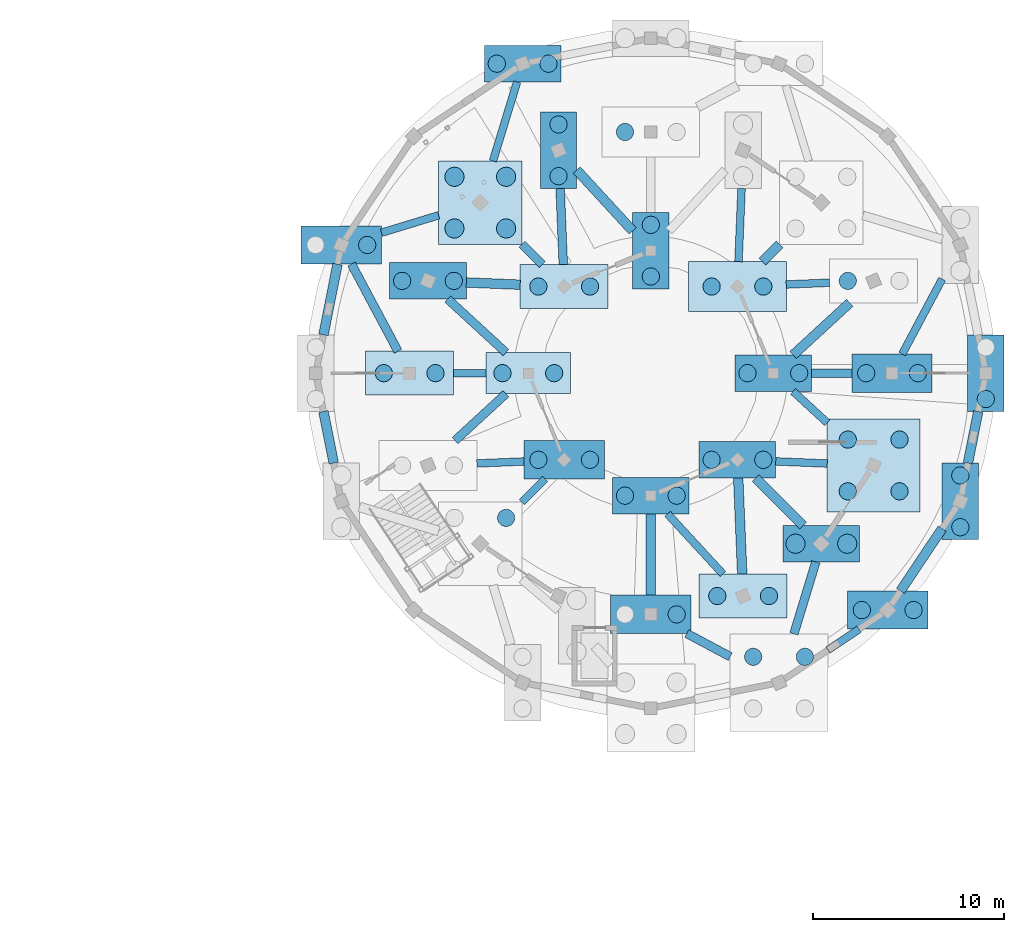
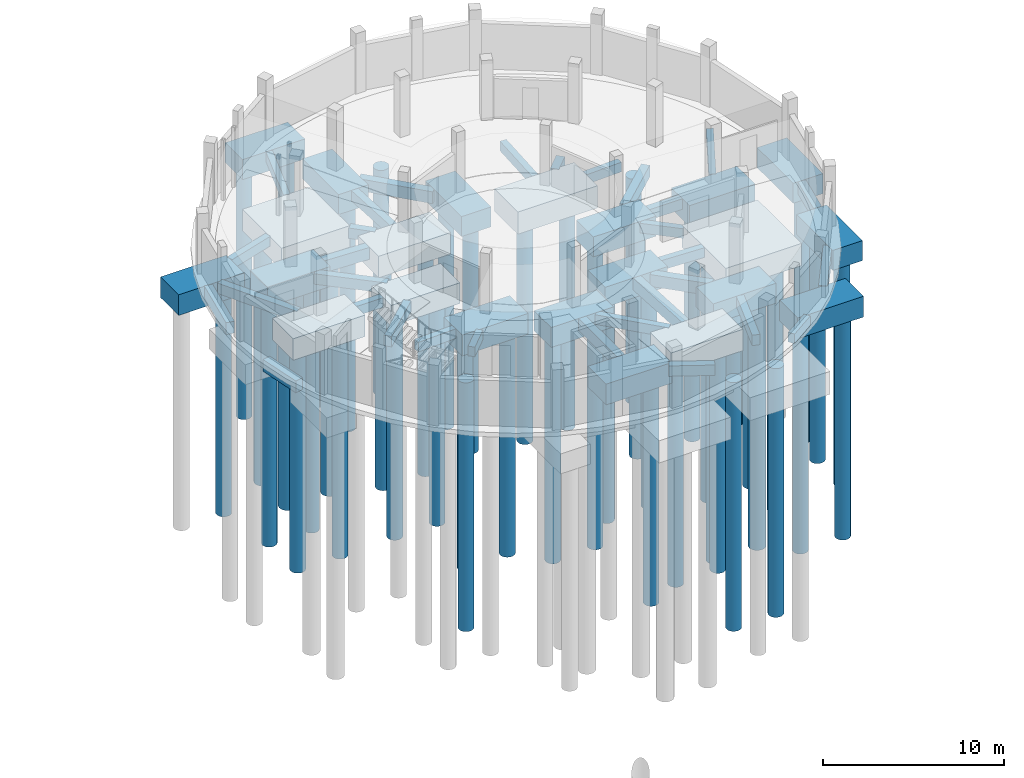
# One storey, part 7 of 58: 53 footings, 50 piles.
"""IFC4 building model written with IfcOpenShell, lengths in metres."""

from ifc_helpers import new_model, si_unit, direction, frame, origin, origin_2d, place, context, subcontext, project, spatial, rectangle, circle, extrude, material, material_profile, profile_set, type_object, element, save


model = new_model("IFC4")

# Units and contexts
model_context = context("Model", 3, precision=1e-05, world=origin(), true_north=direction((0.0, 1.0)))
body_context = subcontext(model_context, "Body", "Model", "MODEL_VIEW")
ifc_project = project(units=[si_unit("LENGTHUNIT", "METRE"), si_unit("AREAUNIT", "SQUARE_METRE"), si_unit("VOLUMEUNIT", "CUBIC_METRE"), si_unit("PLANEANGLEUNIT", "RADIAN"), si_unit("MASSUNIT", "GRAM", prefix="KILO")], contexts=[model_context])

# Site, building, storey
site_placement = place(None, origin())
site = spatial("IfcSite", under=ifc_project, at=site_placement, CompositionType="ELEMENT")
building_placement = place(site_placement, origin())
building = spatial("IfcBuilding", under=site, at=building_placement, Name="Caldaven Crescent School", CompositionType="ELEMENT")
storey_placement = place(building_placement, frame((0.0, 0.0, -4.080078125)))
storey = spatial("IfcBuildingStorey", under=building, at=storey_placement, Name="B1", CompositionType="ELEMENT", Elevation=-4.080078125)

# Footings
ifc_material_1 = material(Name="Concrete C30/37", Category="concrete")
ifc_material_profile_1 = material_profile(ifc_material_1, rectangle(XDim=0.449951171875, YDim=0.699951171875, at=origin_2d()), Name="FB 450x700")
ifc_profile_set_1 = profile_set([ifc_material_profile_1], Name="Concrete C30/37")
footing_type_1 = type_object("IfcFootingType", Name="FTG-FB1", PredefinedType="FOOTING_BEAM", material=ifc_profile_set_1)
footing_1_placement = place(storey_placement, frame((160.89990234375, 98.5, -0.64990234375), z_axis=(1.0, 0.0, 0.0), x_axis=(0.0, 1.0, 0.0)))
element("IfcFooting", 1, at=footing_1_placement, inside=storey, type_object=footing_type_1, Name="FB-001", PredefinedType="FOOTING_BEAM", context=body_context, shape_type="SweptSolid", body=[
    extrude(rectangle(XDim=0.449951171875, YDim=0.699951171875, at=origin_2d()), origin(), (0.0, 0.0, 1.0), 2.10009765625),
])
footing_2_placement = place(storey_placement, frame((147.761474609375, 108.140869140625, -0.64990234375), z_axis=(0.041584487991, -0.999134991059, 0.0), x_axis=(0.999134991059, 0.041584487991, 0.0)))
element("IfcFooting", 2, at=footing_2_placement, inside=storey, type_object=footing_type_1, Name="FB-016", PredefinedType="FOOTING_BEAM", context=body_context, shape_type="SweptSolid", body=[
    extrude(rectangle(XDim=0.449951171875, YDim=0.699951171875, at=origin_2d()), origin(), (0.0, 0.0, 1.0), 3.96875),
])
footing_3_placement = place(storey_placement, frame((146.824462890625, 104.175537109375, -0.64990234375), z_axis=(-0.707106781187, 0.707106781187, 0.0), x_axis=(-0.707106781187, -0.707106781187, 0.0)))
element("IfcFooting", 3, at=footing_3_placement, inside=storey, type_object=footing_type_1, Name="FB-019", PredefinedType="FOOTING_BEAM", context=body_context, shape_type="SweptSolid", body=[
    extrude(rectangle(XDim=0.449951171875, YDim=0.699951171875, at=origin_2d()), origin(), (0.0, 0.0, 1.0), 1.497802734375),
])
footing_4_placement = place(storey_placement, frame((141.8916015625, 102.371826171875, -0.64990234375), z_axis=(0.735926300048, -0.677061652213, 0.0), x_axis=(0.677061652213, 0.735926300048, 0.0)))
element("IfcFooting", 4, at=footing_4_placement, inside=storey, type_object=footing_type_1, Name="FB-022", PredefinedType="FOOTING_BEAM", context=body_context, shape_type="SweptSolid", body=[
    extrude(rectangle(XDim=0.449951171875, YDim=0.699951171875, at=origin_2d()), origin(), (0.0, 0.0, 1.0), 4.130859375),
])
footing_5_placement = place(storey_placement, frame((139.287353515625, 99.64990234375, -0.64990234375), z_axis=(-0.470170065205, 0.88257583798, 0.0), x_axis=(-0.88257583798, -0.470170065205, 0.0)))
element("IfcFooting", 5, at=footing_5_placement, inside=storey, type_object=footing_type_1, Name="FB-025", PredefinedType="FOOTING_BEAM", context=body_context, shape_type="SweptSolid", body=[
    extrude(rectangle(XDim=0.449951171875, YDim=0.699951171875, at=origin_2d()), origin(), (0.0, 0.0, 1.0), 5.152099609375),
])
footing_6_placement = place(storey_placement, frame((142.272216796875, 94.978271484375, -0.64990234375), z_axis=(0.735916200204, 0.677072629987, 0.0), x_axis=(-0.677072629987, 0.735916200204, 0.0)))
element("IfcFooting", 6, at=footing_6_placement, inside=storey, type_object=footing_type_1, Name="FB-028", PredefinedType="FOOTING_BEAM", context=body_context, shape_type="SweptSolid", body=[
    extrude(rectangle(XDim=0.449951171875, YDim=0.699951171875, at=origin_2d()), origin(), (0.0, 0.0, 1.0), 3.61376953125),
])
footing_7_placement = place(storey_placement, frame((154.376953125, 84.89990234375, -0.64990234375), z_axis=(0.882586689015, -0.470149695708, 0.0), x_axis=(0.470149695708, 0.882586689015, 0.0)))
element("IfcFooting", 7, at=footing_7_placement, inside=storey, type_object=footing_type_1, Name="FB-037", PredefinedType="FOOTING_BEAM", context=body_context, shape_type="SweptSolid", body=[
    extrude(rectangle(XDim=0.449951171875, YDim=0.699951171875, at=origin_2d()), origin(), (0.0, 0.0, 1.0), 2.572021484375),
])
footing_8_placement = place(storey_placement, frame((161.119873046875, 88.640380859375, -0.64990234375), z_axis=(-0.291552266399, -0.956554899605, 0.0), x_axis=(0.956554899605, -0.291552266399, 0.0)))
element("IfcFooting", 8, at=footing_8_placement, inside=storey, type_object=footing_type_1, Name="FB-043", PredefinedType="FOOTING_BEAM", context=body_context, shape_type="SweptSolid", body=[
    extrude(rectangle(XDim=0.449951171875, YDim=0.699951171875, at=origin_2d()), origin(), (0.0, 0.0, 1.0), 3.928955078125),
])
ifc_material_profile_2 = material_profile(ifc_material_1, rectangle(XDim=0.5, YDim=0.800048828125, at=origin_2d()), Name="FB 500x800")
ifc_profile_set_2 = profile_set([ifc_material_profile_2], Name="Concrete C30/37")
footing_type_2 = type_object("IfcFootingType", Name="FTG-FB2", PredefinedType="FOOTING_BEAM", material=ifc_profile_set_2)
footing_9_placement = place(storey_placement, frame((159.9326171875, 99.449951171875, -0.699951171875), z_axis=(0.735889855777, 0.677101262859, 0.0), x_axis=(-0.677101262859, 0.735889855777, 0.0)))
element("IfcFooting", 9, at=footing_9_placement, inside=storey, type_object=footing_type_2, Name="FB-002", PredefinedType="FOOTING_BEAM", context=body_context, shape_type="SweptSolid", body=[
    extrude(rectangle(XDim=0.5, YDim=0.800048828125, at=origin_2d()), origin(), (0.0, 0.0, 1.0), 4.02001953125),
])
footing_10_placement = place(storey_placement, frame((169.602294921875, 96.5, -0.699951171875), z_axis=(-0.19514285117, -0.980774830243, 0.0), x_axis=(0.980774830243, -0.19514285117, 0.0)))
element("IfcFooting", 10, at=footing_10_placement, inside=storey, type_object=footing_type_2, Name="FB-005", PredefinedType="FOOTING_BEAM", context=body_context, shape_type="SweptSolid", body=[
    extrude(rectangle(XDim=0.5, YDim=0.800048828125, at=origin_2d()), origin(), (0.0, 0.0, 1.0), 2.75),
])
footing_11_placement = place(storey_placement, frame((158.325439453125, 104.325439453125, -0.699951171875), z_axis=(0.707106781187, 0.707106781187, 0.0), x_axis=(-0.707106781187, 0.707106781187, 0.0)))
element("IfcFooting", 11, at=footing_11_placement, inside=storey, type_object=footing_type_2, Name="FB-008", PredefinedType="FOOTING_BEAM", context=body_context, shape_type="SweptSolid", body=[
    extrude(rectangle(XDim=0.5, YDim=0.800048828125, at=origin_2d()), origin(), (0.0, 0.0, 1.0), 1.285888671875),
])
footing_12_placement = place(storey_placement, frame((148.628173828125, 109.1083984375, -0.699951171875), z_axis=(0.677076140243, -0.735912970611, 0.0), x_axis=(0.735912970611, 0.677076140243, 0.0)))
element("IfcFooting", 12, at=footing_12_placement, inside=storey, type_object=footing_type_2, Name="FB-017", PredefinedType="FOOTING_BEAM", context=body_context, shape_type="SweptSolid", body=[
    extrude(rectangle(XDim=0.5, YDim=0.800048828125, at=origin_2d()), origin(), (0.0, 0.0, 1.0), 4.3154296875),
])
footing_13_placement = place(storey_placement, frame((145.674560546875, 103.121337890625, -0.699951171875), z_axis=(-0.999134874033, 0.041587299648, 0.0), x_axis=(-0.041587299648, -0.999134874033, 0.0)))
element("IfcFooting", 13, at=footing_13_placement, inside=storey, type_object=footing_type_2, Name="FB-020", PredefinedType="FOOTING_BEAM", context=body_context, shape_type="SweptSolid", body=[
    extrude(rectangle(XDim=0.5, YDim=0.800048828125, at=origin_2d()), origin(), (0.0, 0.0, 1.0), 2.81787109375),
])
footing_14_placement = place(storey_placement, frame((136.13330078125, 104.197021484375, -0.699951171875), z_axis=(-0.195144526143, -0.980774496975, 0.0), x_axis=(0.980774496975, -0.195144526143, 0.0)))
element("IfcFooting", 14, at=footing_14_placement, inside=storey, type_object=footing_type_2, Name="FB-023", PredefinedType="FOOTING_BEAM", context=body_context, shape_type="SweptSolid", body=[
    extrude(rectangle(XDim=0.5, YDim=0.800048828125, at=origin_2d()), origin(), (0.0, 0.0, 1.0), 3.76953125),
])
footing_15_placement = place(storey_placement, frame((135.397705078125, 96.5, -0.699951171875), z_axis=(0.19514285117, -0.980774830243, 0.0), x_axis=(0.980774830243, 0.19514285117, 0.0)))
element("IfcFooting", 15, at=footing_15_placement, inside=storey, type_object=footing_type_2, Name="FB-026", PredefinedType="FOOTING_BEAM", context=body_context, shape_type="SweptSolid", body=[
    extrude(rectangle(XDim=0.5, YDim=0.800048828125, at=origin_2d()), origin(), (0.0, 0.0, 1.0), 2.75),
])
footing_16_placement = place(storey_placement, frame((152.5, 91.14990234375, -0.699951171875), z_axis=(0.0, -1.0, 0.0), x_axis=(1.0, 0.0, 0.0)))
element("IfcFooting", 16, at=footing_16_placement, inside=storey, type_object=footing_type_2, Name="FB-035", PredefinedType="FOOTING_BEAM", context=body_context, shape_type="SweptSolid", body=[
    extrude(rectangle(XDim=0.5, YDim=0.800048828125, at=origin_2d()), origin(), (0.0, 0.0, 1.0), 4.25),
])
footing_17_placement = place(storey_placement, frame((157.27392578125, 88.009033203125, -0.699951171875), z_axis=(-0.041584015682, 0.999135010717, 0.0), x_axis=(-0.999135010717, -0.041584015682, 0.0)))
element("IfcFooting", 17, at=footing_17_placement, inside=storey, type_object=footing_type_2, Name="FB-038", PredefinedType="FOOTING_BEAM", context=body_context, shape_type="SweptSolid", body=[
    extrude(rectangle(XDim=0.5, YDim=0.800048828125, at=origin_2d()), origin(), (0.0, 0.0, 1.0), 5.019775390625),
])
footing_18_placement = place(storey_placement, frame((157.9755859375, 93.0244140625, -0.699951171875), z_axis=(0.707106781187, -0.707106781187, 0.0), x_axis=(0.707106781187, 0.707106781187, 0.0)))
element("IfcFooting", 18, at=footing_18_placement, inside=storey, type_object=footing_type_2, Name="FB-041", PredefinedType="FOOTING_BEAM", context=body_context, shape_type="SweptSolid", body=[
    extrude(rectangle(XDim=0.5, YDim=0.800048828125, at=origin_2d()), origin(), (0.0, 0.0, 1.0), 3.5126953125),
])
footing_19_placement = place(storey_placement, frame((165.54248046875, 87.12548828125, -0.699951171875), z_axis=(0.555606349083, 0.831445479186, 0.0), x_axis=(-0.831445479186, 0.555606349083, 0.0)))
element("IfcFooting", 19, at=footing_19_placement, inside=storey, type_object=footing_type_2, Name="FB-044", PredefinedType="FOOTING_BEAM", context=body_context, shape_type="SweptSolid", body=[
    extrude(rectangle(XDim=0.5, YDim=0.800048828125, at=origin_2d()), origin(), (0.0, 0.0, 1.0), 3.91552734375),
])
ifc_material_profile_3 = material_profile(ifc_material_1, rectangle(XDim=0.39990234375, YDim=0.64990234375, at=origin_2d()), Name="FB 400x650")
ifc_profile_set_3 = profile_set([ifc_material_profile_3], Name="Concrete C30/37")
footing_type_3 = type_object("IfcFootingType", Name="FTG-FB3", PredefinedType="FOOTING_BEAM", material=ifc_profile_set_3)
footing_20_placement = place(storey_placement, frame((165.6328125, 99.5, -0.625), z_axis=(0.47020815411, 0.882555546019, 0.0), x_axis=(-0.882555546019, 0.47020815411, 0.0)))
element("IfcFooting", 20, at=footing_20_placement, inside=storey, type_object=footing_type_3, Name="FB-003", PredefinedType="FOOTING_BEAM", context=body_context, shape_type="SweptSolid", body=[
    extrude(rectangle(XDim=0.39990234375, YDim=0.64990234375, at=origin_2d()), origin(), (0.0, 0.0, 1.0), 4.4345703125),
])
footing_21_placement = place(storey_placement, frame((161.8408203125, 103.22607421875, -0.625), z_axis=(-0.999131392748, -0.041670853432, 0.0), x_axis=(0.041670853432, -0.999131392748, 0.0)))
element("IfcFooting", 21, at=footing_21_placement, inside=storey, type_object=footing_type_3, Name="FB-006", PredefinedType="FOOTING_BEAM", context=body_context, shape_type="SweptSolid", body=[
    extrude(rectangle(XDim=0.39990234375, YDim=0.64990234375, at=origin_2d()), origin(), (0.0, 0.0, 1.0), 2.267333984375),
])
footing_22_placement = place(storey_placement, frame((157.238525390625, 108.140869140625, -0.625), z_axis=(-0.041619907798, -0.99913351624, 0.0), x_axis=(0.99913351624, -0.041619907798, 0.0)))
element("IfcFooting", 22, at=footing_22_placement, inside=storey, type_object=footing_type_3, Name="FB-009", PredefinedType="FOOTING_BEAM", context=body_context, shape_type="SweptSolid", body=[
    extrude(rectangle(XDim=0.39990234375, YDim=0.64990234375, at=origin_2d()), origin(), (0.0, 0.0, 1.0), 3.81884765625),
])
footing_23_placement = place(storey_placement, frame((145.513427734375, 113.718017578125, -0.625), z_axis=(-0.291579742138, -0.956546524731, 0.0), x_axis=(0.956546524731, -0.291579742138, 0.0)))
element("IfcFooting", 23, at=footing_23_placement, inside=storey, type_object=footing_type_3, Name="FB-018", PredefinedType="FOOTING_BEAM", context=body_context, shape_type="SweptSolid", body=[
    extrude(rectangle(XDim=0.39990234375, YDim=0.64990234375, at=origin_2d()), origin(), (0.0, 0.0, 1.0), 4.3212890625),
])
footing_24_placement = place(storey_placement, frame((141.41552734375, 106.74658203125, -0.625), z_axis=(-0.956545809065, -0.291582089916, 0.0), x_axis=(0.291582089916, -0.956545809065, 0.0)))
element("IfcFooting", 24, at=footing_24_placement, inside=storey, type_object=footing_type_3, Name="FB-021", PredefinedType="FOOTING_BEAM", context=body_context, shape_type="SweptSolid", body=[
    extrude(rectangle(XDim=0.39990234375, YDim=0.64990234375, at=origin_2d()), origin(), (0.0, 0.0, 1.0), 3.118896484375),
])
footing_25_placement = place(storey_placement, frame((143.89990234375, 98.5, -0.625), z_axis=(-1.0, 0.0, 0.0), x_axis=(0.0, -1.0, 0.0)))
element("IfcFooting", 25, at=footing_25_placement, inside=storey, type_object=footing_type_3, Name="FB-024", PredefinedType="FOOTING_BEAM", context=body_context, shape_type="SweptSolid", body=[
    extrude(rectangle(XDim=0.39990234375, YDim=0.64990234375, at=origin_2d()), origin(), (0.0, 0.0, 1.0), 1.699951171875),
])
footing_26_placement = place(storey_placement, frame((143.4091796875, 93.784423828125, -0.625), z_axis=(0.999132043911, 0.041655237719, 0.0), x_axis=(-0.041655237719, 0.999132043911, 0.0)))
element("IfcFooting", 26, at=footing_26_placement, inside=storey, type_object=footing_type_3, Name="FB-027", PredefinedType="FOOTING_BEAM", context=body_context, shape_type="SweptSolid", body=[
    extrude(rectangle(XDim=0.39990234375, YDim=0.64990234375, at=origin_2d()), origin(), (0.0, 0.0, 1.0), 2.467529296875),
])
footing_27_placement = place(storey_placement, frame((146.974609375, 92.974609375, -0.625), z_axis=(-0.707106781187, -0.707106781187, 0.0), x_axis=(0.707106781187, -0.707106781187, 0.0)))
element("IfcFooting", 27, at=footing_27_placement, inside=storey, type_object=footing_type_3, Name="FB-030", PredefinedType="FOOTING_BEAM", context=body_context, shape_type="SweptSolid", body=[
    extrude(rectangle(XDim=0.39990234375, YDim=0.64990234375, at=origin_2d()), origin(), (0.0, 0.0, 1.0), 1.710205078125),
])
footing_28_placement = place(storey_placement, frame((153.3740234375, 91.14990234375, -0.625), z_axis=(0.677093705951, -0.735896808909, 0.0), x_axis=(0.735896808909, 0.677093705951, 0.0)))
element("IfcFooting", 28, at=footing_28_placement, inside=storey, type_object=footing_type_3, Name="FB-036", PredefinedType="FOOTING_BEAM", context=body_context, shape_type="SweptSolid", body=[
    extrude(rectangle(XDim=0.39990234375, YDim=0.64990234375, at=origin_2d()), origin(), (0.0, 0.0, 1.0), 4.26806640625),
])
footing_29_placement = place(storey_placement, frame((161.7470703125, 84.035888671875, -0.625), z_axis=(0.831456105198, 0.555590447298, 0.0), x_axis=(-0.555590447298, 0.831456105198, 0.0)))
element("IfcFooting", 29, at=footing_29_placement, inside=storey, type_object=footing_type_3, Name="FB-039", PredefinedType="FOOTING_BEAM", context=body_context, shape_type="SweptSolid", body=[
    extrude(rectangle(XDim=0.39990234375, YDim=0.64990234375, at=origin_2d()), origin(), (0.0, 0.0, 1.0), 1.961181640625),
])
footing_30_placement = place(storey_placement, frame((159.025390625, 93.89111328125, -0.625), z_axis=(0.999137467241, -0.041524950998, 0.0), x_axis=(0.041524950998, 0.999137467241, 0.0)))
element("IfcFooting", 30, at=footing_30_placement, inside=storey, type_object=footing_type_3, Name="FB-042", PredefinedType="FOOTING_BEAM", context=body_context, shape_type="SweptSolid", body=[
    extrude(rectangle(XDim=0.39990234375, YDim=0.64990234375, at=origin_2d()), origin(), (0.0, 0.0, 1.0), 2.69287109375),
])
footing_31_placement = place(storey_placement, frame((161.7158203125, 95.9091796875, -0.625), z_axis=(-0.735864744916, 0.677128552927, 0.0), x_axis=(-0.677128552927, -0.735864744916, 0.0)))
element("IfcFooting", 31, at=footing_31_placement, inside=storey, type_object=footing_type_3, Name="FB-045", PredefinedType="FOOTING_BEAM", context=body_context, shape_type="SweptSolid", body=[
    extrude(rectangle(XDim=0.39990234375, YDim=0.64990234375, at=origin_2d()), origin(), (0.0, 0.0, 1.0), 2.42333984375),
])
ifc_material_2 = material(Name="Concrete C35/45", Category="concrete")
footing_type_4 = type_object("IfcFootingType", Name="FTG-PC01", PredefinedType="PILE_CAP", material=ifc_material_2)
for number, where, z_axis, x_axis, name in (
    (32, (158.89990234375, 98.5, -1.64990234375), (0.0, 0.0, 1.0), (1.0, 0.0, 0.0), "PC-001"),
    (33, (170.0, 98.5, -1.64990234375), (0.0, 0.0, 1.0), (0.0, 1.0, 0.0), "PC-003"),
    (34, (152.5, 104.89990234375, -1.64990234375), (0.0, 0.0, 1.0), (0.0, 1.0, 0.0), "PC-011"),
    (35, (147.67822265625, 110.140869140625, -1.64990234375), (0.0, 0.0, 1.0), (0.0, 1.0, 0.0), "PC-014"),
    (36, (145.802978515625, 114.66796875, -1.64990234375), (0.0, 0.0, 1.0), (1.0, 0.0, 0.0), "PC-015"),
    (37, (140.859130859375, 103.32177734375, -1.64990234375), (0.0, 0.0, 1.0), (1.0, 0.0, 0.0), "PC-019"),
    (38, (152.5, 92.10009765625, -1.64990234375), (0.0, 0.0, 1.0), (1.0, 0.0, 0.0), "PC-031"),
    (39, (157.025390625, 93.974609375, -1.64990234375), (0.0, 0.0, 1.0), (1.0, 0.0, 0.0), "PC-036"),
    (40, (161.409423828125, 89.590576171875, -1.64990234375), (0.0, 0.0, 1.0), (1.0, 0.0, 0.0), "PC-037"),
    (41, (168.66796875, 91.802978515625, -1.64990234375), (0.0, 0.0, 1.0), (0.0, 1.0, 0.0), "PC-040"),
):
    element("IfcFooting", number, at=place(storey_placement, frame(where, z_axis=z_axis, x_axis=x_axis)), inside=storey, type_object=footing_type_4, Name=name, PredefinedType="PILE_CAP", context=body_context, shape_type="SweptSolid", body=[
        extrude(rectangle(XDim=4.0, YDim=1.89990234375, at=origin_2d()), origin(), (0.0, 0.0, 1.0), 1.35009765625),
    ])
footing_type_5 = type_object("IfcFootingType", Name="FTG-PC02", PredefinedType="PILE_CAP", material=ifc_material_2)
for number, where, z_axis, x_axis, name in (
    (42, (165.10009765625, 98.5, -1.699951171875), (0.0, 0.0, 1.0), (1.0, 0.0, 0.0), "PC-002"),
    (43, (136.33203125, 105.197021484375, -1.699951171875), (0.0, 0.0, 1.0), (1.0, 0.0, 0.0), "PC-020"),
    (44, (147.974609375, 93.974609375, -1.699951171875), (0.0, 0.0, 1.0), (1.0, 0.0, 0.0), "PC-026"),
    (45, (152.5, 85.89990234375, -1.699951171875), (0.0, 0.0, 1.0), (1.0, 0.0, 0.0), "PC-032"),
    (46, (164.87451171875, 86.12548828125, -1.699951171875), (0.0, 0.0, 1.0), (1.0, 0.0, 0.0), "PC-038"),
):
    element("IfcFooting", number, at=place(storey_placement, frame(where, z_axis=z_axis, x_axis=x_axis)), inside=storey, type_object=footing_type_5, Name=name, PredefinedType="PILE_CAP", context=body_context, shape_type="SweptSolid", body=[
        extrude(rectangle(XDim=4.199951171875, YDim=2.0, at=origin_2d()), origin(), (0.0, 0.0, 1.0), 1.39990234375),
    ])
footing_type_6 = type_object("IfcFootingType", Name="FTG-PC03", PredefinedType="PILE_CAP", material=ifc_material_2)
footing_32_placement = place(storey_placement, frame((146.10009765625, 98.5, -1.699951171875), z_axis=(0.0, 0.0, 1.0), x_axis=(1.0, 0.0, 0.0)))
element("IfcFooting", 47, at=footing_32_placement, inside=storey, type_object=footing_type_6, Name="PC-021", PredefinedType="PILE_CAP", context=body_context, shape_type="SweptSolid", body=[
    extrude(rectangle(XDim=4.39990234375, YDim=2.14990234375, at=origin_2d()), origin(), (0.0, 0.0, 1.0), 1.39990234375),
])
footing_type_7 = type_object("IfcFootingType", Name="FTG-PC04", PredefinedType="PILE_CAP", material=ifc_material_2)
for number, where, z_axis, x_axis, name in (
    (48, (147.974609375, 103.025390625, -1.75), (0.0, 0.0, 1.0), (1.0, 0.0, 0.0), "PC-016"),
    (49, (139.89990234375, 98.5, -1.75), (0.0, 0.0, 1.0), (1.0, 0.0, 0.0), "PC-022"),
    (50, (157.32177734375, 86.859130859375, -1.75), (0.0, 0.0, 1.0), (1.0, 0.0, 0.0), "PC-034"),
):
    element("IfcFooting", number, at=place(storey_placement, frame(where, z_axis=z_axis, x_axis=x_axis)), inside=storey, type_object=footing_type_7, Name=name, PredefinedType="PILE_CAP", context=body_context, shape_type="SweptSolid", body=[
        extrude(rectangle(XDim=4.60009765625, YDim=2.300048828125, at=origin_2d()), origin(), (0.0, 0.0, 1.0), 1.449951171875),
    ])
footing_type_8 = type_object("IfcFootingType", Name="FTG-PC06", PredefinedType="PILE_CAP", material=ifc_material_2)
footing_33_placement = place(storey_placement, frame((157.025390625, 103.025390625, -1.7998046875), z_axis=(0.0, 0.0, 1.0), x_axis=(1.0, 0.0, 0.0)))
element("IfcFooting", 51, at=footing_33_placement, inside=storey, type_object=footing_type_8, Name="PC-006", PredefinedType="PILE_CAP", context=body_context, shape_type="SweptSolid", body=[
    extrude(rectangle(XDim=5.10009765625, YDim=2.60009765625, at=origin_2d()), origin(), (0.0, 0.0, 1.0), 1.5),
])
footing_type_9 = type_object("IfcFootingType", Name="FTG-PC08", PredefinedType="PILE_CAP", material=ifc_material_2)
footing_34_placement = place(storey_placement, frame((143.590576171875, 107.409423828125, -1.75), z_axis=(0.0, 0.0, 1.0), x_axis=(1.0, 0.0, 0.0)))
element("IfcFooting", 52, at=footing_34_placement, inside=storey, type_object=footing_type_9, Name="PC-017", PredefinedType="PILE_CAP", context=body_context, shape_type="SweptSolid", body=[
    extrude(rectangle(XDim=4.35009765625, YDim=4.35009765625, at=origin_2d()), origin(), (0.0, 0.0, 1.0), 1.449951171875),
])
footing_type_10 = type_object("IfcFootingType", Name="FTG-PC10", PredefinedType="PILE_CAP", material=ifc_material_2)
footing_35_placement = place(storey_placement, frame((164.140869140625, 93.67822265625, -1.7998046875), z_axis=(0.0, 0.0, 1.0), x_axis=(1.0, 0.0, 0.0)))
element("IfcFooting", 53, at=footing_35_placement, inside=storey, type_object=footing_type_10, Name="PC-039", PredefinedType="PILE_CAP", context=body_context, shape_type="SweptSolid", body=[
    extrude(rectangle(XDim=4.85009765625, YDim=4.85009765625, at=origin_2d()), origin(), (0.0, 0.0, 1.0), 1.5),
])

# Piles
ifc_material_profile_4 = material_profile(ifc_material_2, circle(Radius=0.5, at=origin_2d()), Name="PILE D1000")
ifc_profile_set_4 = profile_set([ifc_material_profile_4], Name="Concrete C35/45")
pile_type_1 = type_object("IfcPileType", Name="PIL-D1000", PredefinedType="BORED", material=ifc_profile_set_4)
for number, where, z_axis, x_axis, name in (
    (54, (142.240478515625, 106.0595703125, -1.64990234375), (0.0, 0.0, -1.0), (1.0, 0.0, 0.0), "PILE-017-1"),
    (55, (144.9404296875, 106.0595703125, -1.64990234375), (0.0, 0.0, -1.0), (1.0, 0.0, 0.0), "PILE-017-2"),
    (56, (142.240478515625, 108.759521484375, -1.64990234375), (0.0, 0.0, -1.0), (1.0, 0.0, 0.0), "PILE-017-3"),
    (57, (144.9404296875, 108.759521484375, -1.64990234375), (0.0, 0.0, -1.0), (1.0, 0.0, 0.0), "PILE-017-4"),
    (58, (160.0595703125, 89.590576171875, -1.5498046875), (0.0, 0.0, -1.0), (1.0, 0.0, 0.0), "PILE-037-1"),
    (59, (162.759521484375, 89.590576171875, -1.5498046875), (0.0, 0.0, -1.0), (1.0, 0.0, 0.0), "PILE-037-2"),
):
    element("IfcPile", number, at=place(storey_placement, frame(where, z_axis=z_axis, x_axis=x_axis)), inside=storey, type_object=pile_type_1, Name=name, PredefinedType="BORED", context=body_context, shape_type="SweptSolid", body=[
        extrude(circle(Radius=0.5, at=origin_2d()), origin(), (0.0, 0.0, 1.0), 16.800048828125),
    ])
ifc_material_profile_5 = material_profile(ifc_material_2, circle(Radius=0.449951171875, at=origin_2d()), Name="PILE D900")
ifc_profile_set_5 = profile_set([ifc_material_profile_5], Name="Concrete C35/45")
pile_type_2 = type_object("IfcPileType", Name="PIL-D900", PredefinedType="BORED", material=ifc_profile_set_5)
for number, where, z_axis, x_axis, name in (
    (60, (157.550048828125, 98.5, -1.5498046875), (0.0, 0.0, -1.0), (1.0, 0.0, 0.0), "PILE-001-1"),
    (61, (160.25, 98.5, -1.5498046875), (0.0, 0.0, -1.0), (1.0, 0.0, 0.0), "PILE-001-2"),
    (62, (163.75, 98.5, -1.599853515625), (0.0, 0.0, -1.0), (1.0, 0.0, 0.0), "PILE-002-1"),
    (63, (166.449951171875, 98.5, -1.599853515625), (0.0, 0.0, -1.0), (1.0, 0.0, 0.0), "PILE-002-2"),
):
    element("IfcPile", number, at=place(storey_placement, frame(where, z_axis=z_axis, x_axis=x_axis)), inside=storey, type_object=pile_type_2, Name=name, PredefinedType="BORED", context=body_context, shape_type="SweptSolid", body=[
        extrude(circle(Radius=0.449951171875, at=origin_2d()), origin(), (0.0, 0.0, 1.0), 15.199951171875),
    ])
pile_1_placement = place(storey_placement, frame((170.0, 97.14990234375, -1.5498046875), z_axis=(0.0, 0.0, -1.0), x_axis=(1.0, 0.0, 0.0)))
element("IfcPile", 64, at=pile_1_placement, inside=storey, type_object=pile_type_2, Name="PILE-003-1", PredefinedType="BORED", context=body_context, shape_type="SweptSolid", body=[
    extrude(circle(Radius=0.449951171875, at=origin_2d()), origin(), (0.0, 0.0, 1.0), 16.800048828125),
])
for number, where, z_axis, x_axis, name in (
    (65, (162.791015625, 103.32177734375, -1.64990234375), (0.0, 0.0, -1.0), (1.0, 0.0, 0.0), "PILE-004-1"),
    (66, (155.675537109375, 103.025390625, -1.699951171875), (0.0, 0.0, -1.0), (1.0, 0.0, 0.0), "PILE-006-1"),
    (67, (158.37548828125, 103.025390625, -1.699951171875), (0.0, 0.0, -1.0), (1.0, 0.0, 0.0), "PILE-006-2"),
    (68, (152.5, 103.550048828125, -1.5498046875), (0.0, 0.0, -1.0), (1.0, 0.0, 0.0), "PILE-011-1"),
    (69, (152.5, 106.25, -1.5498046875), (0.0, 0.0, -1.0), (1.0, 0.0, 0.0), "PILE-011-2"),
    (70, (151.14990234375, 111.10009765625, -1.699951171875), (0.0, 0.0, -1.0), (1.0, 0.0, 0.0), "PILE-012-1"),
    (71, (147.67822265625, 108.791015625, -1.5498046875), (0.0, 0.0, -1.0), (1.0, 0.0, 0.0), "PILE-014-1"),
    (72, (147.67822265625, 111.490966796875, -1.5498046875), (0.0, 0.0, -1.0), (1.0, 0.0, 0.0), "PILE-014-2"),
):
    element("IfcPile", number, at=place(storey_placement, frame(where, z_axis=z_axis, x_axis=x_axis)), inside=storey, type_object=pile_type_2, Name=name, PredefinedType="BORED", context=body_context, shape_type="SweptSolid", body=[
        extrude(circle(Radius=0.449951171875, at=origin_2d()), origin(), (0.0, 0.0, 1.0), 15.199951171875),
    ])
for number, where, z_axis, x_axis, name in (
    (73, (144.452880859375, 114.66796875, -1.5498046875), (0.0, 0.0, -1.0), (1.0, 0.0, 0.0), "PILE-015-1"),
    (74, (147.153076171875, 114.66796875, -1.5498046875), (0.0, 0.0, -1.0), (1.0, 0.0, 0.0), "PILE-015-2"),
):
    element("IfcPile", number, at=place(storey_placement, frame(where, z_axis=z_axis, x_axis=x_axis)), inside=storey, type_object=pile_type_2, Name=name, PredefinedType="BORED", context=body_context, shape_type="SweptSolid", body=[
        extrude(circle(Radius=0.449951171875, at=origin_2d()), origin(), (0.0, 0.0, 1.0), 16.800048828125),
    ])
for number, where, z_axis, x_axis, name in (
    (75, (146.62451171875, 103.025390625, -1.64990234375), (0.0, 0.0, -1.0), (1.0, 0.0, 0.0), "PILE-016-1"),
    (76, (149.324462890625, 103.025390625, -1.64990234375), (0.0, 0.0, -1.0), (1.0, 0.0, 0.0), "PILE-016-2"),
):
    element("IfcPile", number, at=place(storey_placement, frame(where, z_axis=z_axis, x_axis=x_axis)), inside=storey, type_object=pile_type_2, Name=name, PredefinedType="BORED", context=body_context, shape_type="SweptSolid", body=[
        extrude(circle(Radius=0.449951171875, at=origin_2d()), origin(), (0.0, 0.0, 1.0), 15.199951171875),
    ])
for number, where, z_axis, x_axis, name in (
    (77, (139.509033203125, 103.32177734375, -1.5498046875), (0.0, 0.0, -1.0), (1.0, 0.0, 0.0), "PILE-019-1"),
    (78, (142.208984375, 103.32177734375, -1.5498046875), (0.0, 0.0, -1.0), (1.0, 0.0, 0.0), "PILE-019-2"),
):
    element("IfcPile", number, at=place(storey_placement, frame(where, z_axis=z_axis, x_axis=x_axis)), inside=storey, type_object=pile_type_2, Name=name, PredefinedType="BORED", context=body_context, shape_type="SweptSolid", body=[
        extrude(circle(Radius=0.449951171875, at=origin_2d()), origin(), (0.0, 0.0, 1.0), 16.800048828125),
    ])
for number, where, z_axis, x_axis, name in (
    (79, (137.68212890625, 105.197021484375, -1.599853515625), (0.0, 0.0, -1.0), (1.0, 0.0, 0.0), "PILE-020-2"),
    (80, (144.75, 98.5, -1.599853515625), (0.0, 0.0, -1.0), (1.0, 0.0, 0.0), "PILE-021-1"),
    (81, (147.449951171875, 98.5, -1.599853515625), (0.0, 0.0, -1.0), (1.0, 0.0, 0.0), "PILE-021-2"),
    (82, (138.550048828125, 98.5, -1.64990234375), (0.0, 0.0, -1.0), (1.0, 0.0, 0.0), "PILE-022-1"),
    (83, (141.25, 98.5, -1.64990234375), (0.0, 0.0, -1.0), (1.0, 0.0, 0.0), "PILE-022-2"),
    (84, (146.62451171875, 93.974609375, -1.599853515625), (0.0, 0.0, -1.0), (1.0, 0.0, 0.0), "PILE-026-1"),
    (85, (149.324462890625, 93.974609375, -1.599853515625), (0.0, 0.0, -1.0), (1.0, 0.0, 0.0), "PILE-026-2"),
):
    element("IfcPile", number, at=place(storey_placement, frame(where, z_axis=z_axis, x_axis=x_axis)), inside=storey, type_object=pile_type_2, Name=name, PredefinedType="BORED", context=body_context, shape_type="SweptSolid", body=[
        extrude(circle(Radius=0.449951171875, at=origin_2d()), origin(), (0.0, 0.0, 1.0), 15.199951171875),
    ])
pile_2_placement = place(storey_placement, frame((144.9404296875, 90.9404296875, -1.64990234375), z_axis=(0.0, 0.0, -1.0), x_axis=(1.0, 0.0, 0.0)))
element("IfcPile", 86, at=pile_2_placement, inside=storey, type_object=pile_type_2, Name="PILE-027-4", PredefinedType="BORED", context=body_context, shape_type="SweptSolid", body=[
    extrude(circle(Radius=0.449951171875, at=origin_2d()), origin(), (0.0, 0.0, 1.0), 16.800048828125),
])
for number, where, z_axis, x_axis, name in (
    (87, (151.14990234375, 92.10009765625, -1.5498046875), (0.0, 0.0, -1.0), (1.0, 0.0, 0.0), "PILE-031-1"),
    (88, (153.85009765625, 92.10009765625, -1.5498046875), (0.0, 0.0, -1.0), (1.0, 0.0, 0.0), "PILE-031-2"),
    (89, (153.85009765625, 85.89990234375, -1.599853515625), (0.0, 0.0, -1.0), (1.0, 0.0, 0.0), "PILE-032-2"),
    (90, (155.9716796875, 86.859130859375, -1.64990234375), (0.0, 0.0, -1.0), (1.0, 0.0, 0.0), "PILE-034-1"),
    (91, (158.671875, 86.859130859375, -1.64990234375), (0.0, 0.0, -1.0), (1.0, 0.0, 0.0), "PILE-034-2"),
):
    element("IfcPile", number, at=place(storey_placement, frame(where, z_axis=z_axis, x_axis=x_axis)), inside=storey, type_object=pile_type_2, Name=name, PredefinedType="BORED", context=body_context, shape_type="SweptSolid", body=[
        extrude(circle(Radius=0.449951171875, at=origin_2d()), origin(), (0.0, 0.0, 1.0), 15.199951171875),
    ])
for number, where, z_axis, x_axis, name in (
    (92, (157.846923828125, 83.68212890625, -1.75), (0.0, 0.0, -1.0), (1.0, 0.0, 0.0), "PILE-035-3"),
    (93, (160.547119140625, 83.68212890625, -1.75), (0.0, 0.0, -1.0), (1.0, 0.0, 0.0), "PILE-035-4"),
):
    element("IfcPile", number, at=place(storey_placement, frame(where, z_axis=z_axis, x_axis=x_axis)), inside=storey, type_object=pile_type_2, Name=name, PredefinedType="BORED", context=body_context, shape_type="SweptSolid", body=[
        extrude(circle(Radius=0.449951171875, at=origin_2d()), origin(), (0.0, 0.0, 1.0), 16.800048828125),
    ])
for number, where, z_axis, x_axis, name in (
    (94, (155.675537109375, 93.974609375, -1.5498046875), (0.0, 0.0, -1.0), (1.0, 0.0, 0.0), "PILE-036-1"),
    (95, (158.37548828125, 93.974609375, -1.5498046875), (0.0, 0.0, -1.0), (1.0, 0.0, 0.0), "PILE-036-2"),
    (96, (163.5244140625, 86.12548828125, -1.599853515625), (0.0, 0.0, -1.0), (1.0, 0.0, 0.0), "PILE-038-1"),
    (97, (166.224365234375, 86.12548828125, -1.599853515625), (0.0, 0.0, -1.0), (1.0, 0.0, 0.0), "PILE-038-2"),
):
    element("IfcPile", number, at=place(storey_placement, frame(where, z_axis=z_axis, x_axis=x_axis)), inside=storey, type_object=pile_type_2, Name=name, PredefinedType="BORED", context=body_context, shape_type="SweptSolid", body=[
        extrude(circle(Radius=0.449951171875, at=origin_2d()), origin(), (0.0, 0.0, 1.0), 15.199951171875),
    ])
for number, where, z_axis, x_axis, name in (
    (98, (162.791015625, 92.328125, -1.699951171875), (0.0, 0.0, -1.0), (1.0, 0.0, 0.0), "PILE-039-1"),
    (99, (165.490966796875, 92.328125, -1.699951171875), (0.0, 0.0, -1.0), (1.0, 0.0, 0.0), "PILE-039-2"),
    (100, (162.791015625, 95.0283203125, -1.699951171875), (0.0, 0.0, -1.0), (1.0, 0.0, 0.0), "PILE-039-3"),
    (101, (165.490966796875, 95.0283203125, -1.699951171875), (0.0, 0.0, -1.0), (1.0, 0.0, 0.0), "PILE-039-4"),
):
    element("IfcPile", number, at=place(storey_placement, frame(where, z_axis=z_axis, x_axis=x_axis)), inside=storey, type_object=pile_type_2, Name=name, PredefinedType="BORED", context=body_context, shape_type="SweptSolid", body=[
        extrude(circle(Radius=0.449951171875, at=origin_2d()), origin(), (0.0, 0.0, 1.0), 16.800048828125),
    ])
for number, where, z_axis, x_axis, name in (
    (102, (168.66796875, 90.452880859375, -1.5498046875), (0.0, 0.0, -1.0), (1.0, 0.0, 0.0), "PILE-040-1"),
    (103, (168.66796875, 93.153076171875, -1.5498046875), (0.0, 0.0, -1.0), (1.0, 0.0, 0.0), "PILE-040-2"),
):
    element("IfcPile", number, at=place(storey_placement, frame(where, z_axis=z_axis, x_axis=x_axis)), inside=storey, type_object=pile_type_2, Name=name, PredefinedType="BORED", context=body_context, shape_type="SweptSolid", body=[
        extrude(circle(Radius=0.449951171875, at=origin_2d()), origin(), (0.0, 0.0, 1.0), 15.199951171875),
    ])

save(model, "model.ifc")
